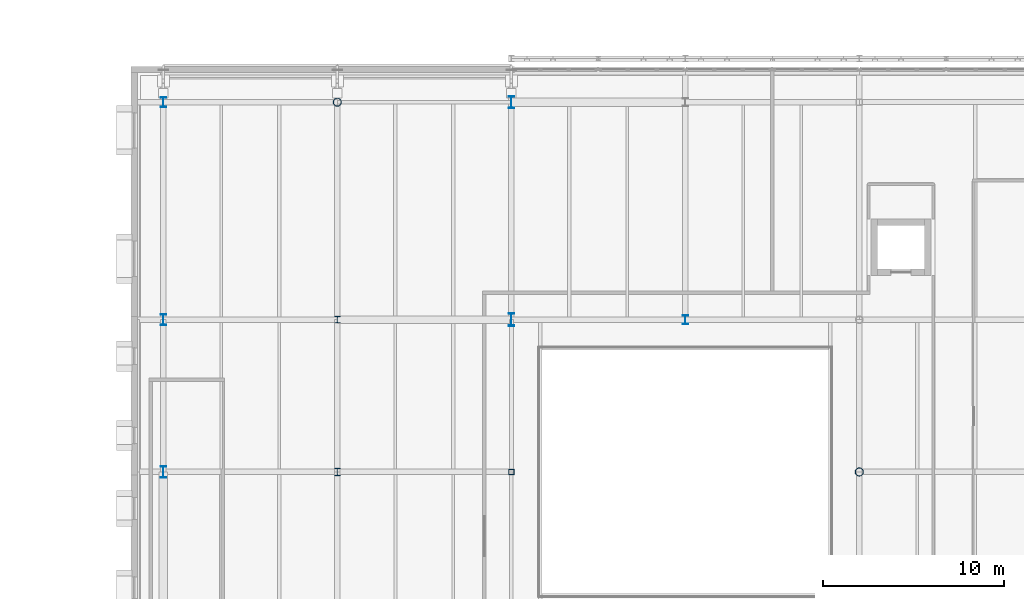
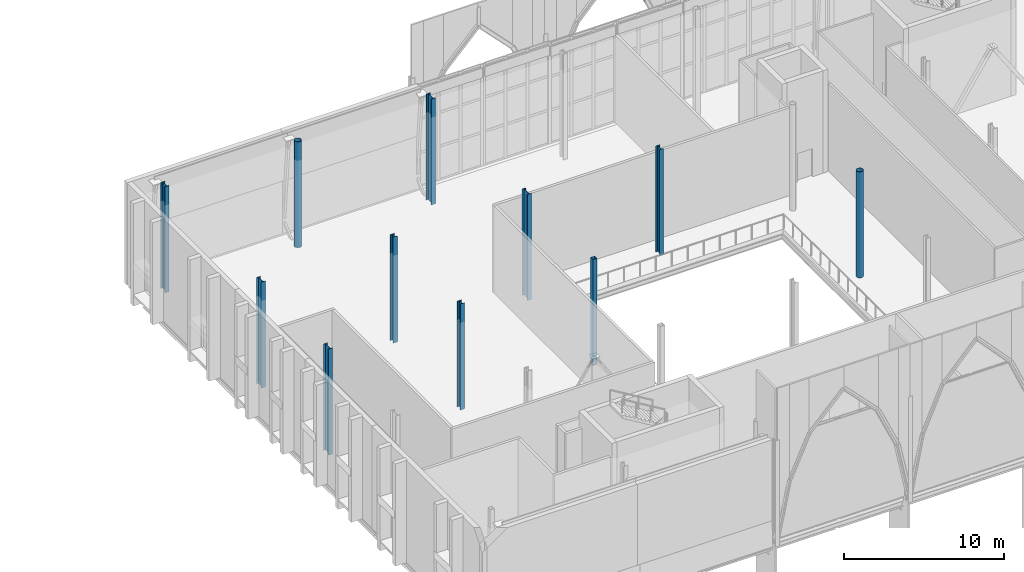
# One storey, part 6 of 79: 11 columns.
"""IFC4 building model written with IfcOpenShell, lengths in metres."""

import ifcopenshell
import ifcopenshell.guid

model = None  # the IFC model being written
_history = None  # IfcOwnerHistory: only IFC2X3 demands one
_inside = {}  # id of a spatial element -> (the spatial element, [elements in it])
_under = {}  # id of a project, library or spatial element -> (it, [spatial elements below it])
_declared = {}  # id of a project -> (the project, [libraries it declares])
_typed = {}  # id of a type object -> (the type object, [elements of that type])
_made_of = {}  # id of a material, layer set ... -> (it, [elements and type objects made of it])


def new_model(schema):
    """Start an empty IFC model of exactly this schema.

    Asked for "IFC4X3", IfcOpenShell would pick the latest addendum, in which some entities
    have other attributes; the version numbers below select the first issue.
    IFC2X3 requires an IfcOwnerHistory on every rooted entity: one is made here for all.
    """
    global model, _history
    if schema == "IFC4X3":
        model = ifcopenshell.file(schema_version=(4, 3, 0, 0))
    else:
        model = ifcopenshell.file(schema=schema)
    _inside.clear()
    _under.clear()
    _declared.clear()
    _typed.clear()
    _made_of.clear()
    _history = None
    if model.schema == "IFC2X3":
        org = make("IfcOrganization", Name="unknown")
        user = make(
            "IfcPersonAndOrganization",
            ThePerson=make("IfcPerson", FamilyName="unknown"),
            TheOrganization=org,
        )
        app = make(
            "IfcApplication",
            ApplicationDeveloper=org,
            Version="unknown",
            ApplicationFullName="unknown",
            ApplicationIdentifier="unknown",
        )
        _history = make(
            "IfcOwnerHistory",
            OwningUser=user,
            OwningApplication=app,
            ChangeAction="ADDED",
            CreationDate=0,
        )
    return model


def make(cls, **values):
    """One entity of the class cls with the attributes given. An attribute that is None is left unset."""
    return model.create_entity(
        cls, **{name: value for name, value in values.items() if value is not None}
    )


def rooted(cls, **values):
    """An entity with a GlobalId (a new one), such as an element, a storey or a relation."""
    return make(cls, GlobalId=ifcopenshell.guid.new(), OwnerHistory=_history, **values)


def si_unit(unit_type, name, prefix=None):
    """IfcSIUnit, for example si_unit("LENGTHUNIT", "METRE", prefix="MILLI")."""
    return make("IfcSIUnit", UnitType=unit_type, Prefix=prefix, Name=name)


def assignment(units):
    """IfcUnitAssignment: the units of a project."""
    return None if units is None else make("IfcUnitAssignment", Units=units)


def point(xyz):
    """IfcCartesianPoint."""
    return None if xyz is None else make("IfcCartesianPoint", Coordinates=xyz)


def direction(xyz):
    """IfcDirection."""
    return None if xyz is None else make("IfcDirection", DirectionRatios=xyz)


def frame(location, z_axis=None, x_axis=None):
    """IfcAxis2Placement3D, a coordinate frame: its origin and axes. An axis left out is left unset."""
    return make(
        "IfcAxis2Placement3D",
        Location=point(location),
        Axis=direction(z_axis),
        RefDirection=direction(x_axis),
    )


def frame_2d(location, x_axis=None):
    """IfcAxis2Placement2D, a coordinate frame in the plane: its origin and x axis."""
    return make(
        "IfcAxis2Placement2D", Location=point(location), RefDirection=direction(x_axis)
    )


def origin():
    """The frame at (0, 0, 0) with its axes left unset."""
    return frame((0.0, 0.0, 0.0))


def origin_2d():
    """The frame at (0, 0) in the plane with its x axis left unset."""
    return frame_2d((0.0, 0.0))


def place(relative_to, where):
    """IfcLocalPlacement: puts the frame where relative to a parent placement (None: the world)."""
    return make(
        "IfcLocalPlacement", PlacementRelTo=relative_to, RelativePlacement=where
    )


def context(
    kind, dimensions, precision=None, world=None, true_north=None, identifier=None
):
    """IfcGeometricRepresentationContext, for example the 3D "Model" context."""
    return make(
        "IfcGeometricRepresentationContext",
        ContextIdentifier=identifier,
        ContextType=kind,
        CoordinateSpaceDimension=dimensions,
        Precision=precision,
        WorldCoordinateSystem=world,
        TrueNorth=true_north,
    )


def subcontext(parent, identifier, kind, view, scale=None):
    """IfcGeometricRepresentationSubContext, for example "Body" below "Model"."""
    return make(
        "IfcGeometricRepresentationSubContext",
        ContextIdentifier=identifier,
        ContextType=kind,
        ParentContext=parent,
        TargetScale=scale,
        TargetView=view,
    )


def project(units=None, contexts=None):
    """IfcProject with its units and contexts."""
    return rooted(
        "IfcProject",
        Name="project",
        RepresentationContexts=contexts,
        UnitsInContext=assignment(units),
    )


def spatial(cls, under=None, at=None, **own):
    """A site, building, storey or space (cls), placed at a placement, below another one or the project."""
    s = rooted(cls, ObjectPlacement=at, **own)
    if under is not None:
        _under.setdefault(under.id(), (under, []))[1].append(s)
    return s


def profile(cls, at=None, kind="AREA", **sizes):
    """A parametric profile (cls). Its sizes go by their IFC names, for example OverallWidth=200.0."""
    return make(cls, ProfileType=kind, Position=at, **sizes)


def hollow_rectangle(**sizes):
    """IfcRectangleHollowProfileDef."""
    return profile("IfcRectangleHollowProfileDef", **sizes)


def hollow_circle(**sizes):
    """IfcCircleHollowProfileDef."""
    return profile("IfcCircleHollowProfileDef", **sizes)


def i_section(**sizes):
    """IfcIShapeProfileDef."""
    return profile("IfcIShapeProfileDef", **sizes)


def extrude(swept, where, along, depth):
    """IfcExtrudedAreaSolid: the profile swept, set in the frame where, extruded along a direction by depth."""
    return make(
        "IfcExtrudedAreaSolid",
        SweptArea=swept,
        Position=where,
        ExtrudedDirection=direction(along),
        Depth=depth,
    )


def shape(context_of_items, identifier, shape_type, items):
    """IfcShapeRepresentation: the items that make up one representation, for example the "Body"."""
    return make(
        "IfcShapeRepresentation",
        ContextOfItems=context_of_items,
        RepresentationIdentifier=identifier,
        RepresentationType=shape_type,
        Items=items,
    )


def material(Name=None, Category=None):
    """IfcMaterial."""
    return make("IfcMaterial", Name=Name, Category=Category)


def material_profile(
    of_material, cross_section, Name=None, Category=None, Priority=None
):
    """IfcMaterialProfile: a cross section and its material."""
    return make(
        "IfcMaterialProfile",
        Name=Name,
        Material=of_material,
        Profile=cross_section,
        Priority=Priority,
        Category=Category,
    )


def profile_set(profiles, Name=None, composite=None):
    """IfcMaterialProfileSet."""
    return make(
        "IfcMaterialProfileSet",
        Name=Name,
        MaterialProfiles=profiles,
        CompositeProfile=composite,
    )


def made_of(thing, what):
    """Note that an element or type object is made of a material, layer set ...; save() writes the relation."""
    if what is not None:
        _made_of.setdefault(what.id(), (what, []))[1].append(thing)
    return thing


def type_object(cls, material=None, **own):
    """A type object (cls), such as IfcWallType, which elements share."""
    return made_of(rooted(cls, **own), material)


def element(
    cls,
    number,
    at=None,
    inside=None,
    cuts=None,
    type_object=None,
    material=None,
    context=None,
    identifier="Body",
    shape_type=None,
    held_by="IfcProductDefinitionShape",
    body=None,
    shapes=None,
    **own,
):
    """One element of the class cls, such as IfcWall. Its Tag is "e" and its number.

    at: its placement. inside: the storey or other place that contains it. cuts: it is an
    opening in that element (IfcRelVoidsElement). A single representation is given by context,
    identifier, shape_type and body (its items); several are given by shapes. held_by: the class
    of the entity that holds the representations. save() writes the other relations.
    """
    e = rooted(cls, Tag="e%d" % number, ObjectPlacement=at, **own)
    if body is not None:
        shapes = [shape(context, identifier, shape_type, body)]
    if shapes is not None:
        e.Representation = make(held_by, Representations=shapes)
    if inside is not None:
        _inside.setdefault(inside.id(), (inside, []))[1].append(e)
    if cuts is not None:
        rooted(
            "IfcRelVoidsElement", RelatingBuildingElement=cuts, RelatedOpeningElement=e
        )
    if type_object is not None:
        _typed.setdefault(type_object.id(), (type_object, []))[1].append(e)
    return made_of(e, material)


def aggregate(whole, parts):
    """IfcRelAggregates: a whole, such as a stair, and the parts it consists of."""
    return rooted("IfcRelAggregates", RelatingObject=whole, RelatedObjects=parts)


def save(model, path):
    """Write the relations noted so far, then the file.

    IfcRelAggregates (storeys below a building ...), IfcRelContainedInSpatialStructure (elements
    in a storey), IfcRelDefinesByType, IfcRelAssociatesMaterial and IfcRelDeclares: one each for
    every whole, place, type object, material and project.
    """
    for whole, parts in _under.values():
        aggregate(whole, parts)
    for where, things in _inside.values():
        rooted(
            "IfcRelContainedInSpatialStructure",
            RelatedElements=things,
            RelatingStructure=where,
        )
    for kind, things in _typed.values():
        rooted("IfcRelDefinesByType", RelatedObjects=things, RelatingType=kind)
    for what, things in _made_of.values():
        rooted("IfcRelAssociatesMaterial", RelatedObjects=things, RelatingMaterial=what)
    for by, libraries in _declared.values():
        rooted("IfcRelDeclares", RelatingContext=by, RelatedDefinitions=libraries)
    model.write(path)


model = new_model("IFC4")

# Units and contexts
model_context = context("Model", 3, precision=1e-05, world=origin(), true_north=direction((0.0, 1.0)))
body_context = subcontext(model_context, "Body", "Model", "MODEL_VIEW")
ifc_project = project(units=[si_unit("LENGTHUNIT", "METRE"), si_unit("AREAUNIT", "SQUARE_METRE"), si_unit("VOLUMEUNIT", "CUBIC_METRE"), si_unit("PLANEANGLEUNIT", "RADIAN"), si_unit("MASSUNIT", "GRAM", prefix="KILO")], contexts=[model_context])

# Site, building, storey
site_placement = place(None, origin())
site = spatial("IfcSite", under=ifc_project, at=site_placement, CompositionType="ELEMENT")
building_placement = place(site_placement, origin())
building = spatial("IfcBuilding", under=site, at=building_placement, Name="Zereglee Splitstone Museum", CompositionType="ELEMENT")
storey_placement = place(building_placement, frame((0.0, 0.0, 9.0)))
storey = spatial("IfcBuildingStorey", under=building, at=storey_placement, Name="L02", CompositionType="ELEMENT", Elevation=9.0)

# Columns
ifc_material_1 = material(Name="Steel S355J2H", Category="steel")
ifc_material_profile_1 = material_profile(ifc_material_1, hollow_circle(Radius=0.228515625, WallThickness=0.02001953125, at=origin_2d()), Name="CHS 457.0x20")
ifc_profile_set_1 = profile_set([ifc_material_profile_1], Name="Steel S355J2H")
column_type_1 = type_object("IfcColumnType", Name="C-17", PredefinedType="COLUMN", material=ifc_profile_set_1)
for number, where, z_axis, x_axis, name in (
    (1, (87.60009765625, 50.39990234375, 0.0), (0.0, 0.0, 1.0), (1.0, 0.0, 0.0), "Column 11/F L02"),
    (2, (116.39990234375, 30.0, 0.0), (0.0, 0.0, 1.0), (1.0, 0.0, 0.0), "Column 14/D L02"),
):
    element("IfcColumn", number, at=place(storey_placement, frame(where, z_axis=z_axis, x_axis=x_axis)), inside=storey, type_object=column_type_1, Name=name, PredefinedType="COLUMN", context=body_context, shape_type="SweptSolid", body=[
        extrude(hollow_circle(Radius=0.228515625, WallThickness=0.02001953125, at=origin_2d()), origin(), (0.0, 0.0, 1.0), 8.10009765625),
    ])
ifc_material_2 = material(Name="Steel S355J2", Category="steel")
ifc_material_profile_2 = material_profile(ifc_material_2, i_section(OverallWidth=0.300048828125, OverallDepth=0.360107421875, WebThickness=0.012451171875, FlangeThickness=0.0224609375, FilletRadius=0.027099609375, at=origin_2d()), Name="HE 360 B")
ifc_profile_set_2 = profile_set([ifc_material_profile_2], Name="Steel S355J2")
column_type_2 = type_object("IfcColumnType", Name="C-16", PredefinedType="COLUMN", material=ifc_profile_set_2)
column_1_placement = place(storey_placement, frame((87.60009765625, 38.39990234375, 0.0), z_axis=(0.0, 0.0, 1.0), x_axis=(1.0, 0.0, 0.0)))
element("IfcColumn", 3, at=column_1_placement, inside=storey, type_object=column_type_2, Name="Column 11/E L02", PredefinedType="COLUMN", context=body_context, shape_type="SweptSolid", body=[
    extrude(i_section(OverallWidth=0.300048828125, OverallDepth=0.360107421875, WebThickness=0.012451171875, FlangeThickness=0.0224609375, FilletRadius=0.027099609375, at=origin_2d()), origin(), (0.0, 0.0, 1.0), 8.10009765625),
])
ifc_material_profile_3 = material_profile(ifc_material_2, i_section(OverallWidth=0.300048828125, OverallDepth=0.39990234375, WebThickness=0.013427734375, FlangeThickness=0.02392578125, FilletRadius=0.027099609375, at=origin_2d()), Name="HE 400 B")
ifc_profile_set_3 = profile_set([ifc_material_profile_3], Name="Steel S355J2")
column_type_3 = type_object("IfcColumnType", Name="C-15", PredefinedType="COLUMN", material=ifc_profile_set_3)
column_2_placement = place(storey_placement, frame((87.60009765625, 30.0, 0.0), z_axis=(0.0, 0.0, 1.0), x_axis=(1.0, 0.0, 0.0)))
element("IfcColumn", 4, at=column_2_placement, inside=storey, type_object=column_type_3, Name="Column 11/D L02", PredefinedType="COLUMN", context=body_context, shape_type="SweptSolid", body=[
    extrude(i_section(OverallWidth=0.300048828125, OverallDepth=0.39990234375, WebThickness=0.013427734375, FlangeThickness=0.02392578125, FilletRadius=0.027099609375, at=origin_2d()), origin(), (0.0, 0.0, 1.0), 8.10009765625),
])
ifc_material_profile_4 = material_profile(ifc_material_2, i_section(OverallWidth=0.300048828125, OverallDepth=0.5, WebThickness=0.014404296875, FlangeThickness=0.028076171875, FilletRadius=0.027099609375, at=origin_2d()), Name="HE 500 B")
ifc_profile_set_4 = profile_set([ifc_material_profile_4], Name="Steel S355J2")
column_type_4 = type_object("IfcColumnType", Name="C-13", PredefinedType="COLUMN", material=ifc_profile_set_4)
column_3_placement = place(storey_placement, frame((106.800048828125, 38.39990234375, 0.0), z_axis=(0.0, 0.0, 1.0), x_axis=(1.0, 0.0, 0.0)))
element("IfcColumn", 5, at=column_3_placement, inside=storey, type_object=column_type_4, Name="Column 13/E L02", PredefinedType="COLUMN", context=body_context, shape_type="SweptSolid", body=[
    extrude(i_section(OverallWidth=0.300048828125, OverallDepth=0.5, WebThickness=0.014404296875, FlangeThickness=0.028076171875, FilletRadius=0.027099609375, at=origin_2d()), origin(), (0.0, 0.0, 1.0), 8.10009765625),
])
ifc_material_profile_5 = material_profile(ifc_material_2, i_section(OverallWidth=0.300048828125, OverallDepth=0.550048828125, WebThickness=0.014892578125, FlangeThickness=0.029052734375, FilletRadius=0.027099609375, at=origin_2d()), Name="HE 550 B")
ifc_profile_set_5 = profile_set([ifc_material_profile_5], Name="Steel S355J2")
column_type_5 = type_object("IfcColumnType", Name="C-12", PredefinedType="COLUMN", material=ifc_profile_set_5)
column_4_placement = place(storey_placement, frame((78.0, 50.39990234375, 0.0), z_axis=(0.0, 0.0, 1.0), x_axis=(1.0, 0.0, 0.0)))
element("IfcColumn", 6, at=column_4_placement, inside=storey, type_object=column_type_5, Name="Column 10/F L02", PredefinedType="COLUMN", context=body_context, shape_type="SweptSolid", body=[
    extrude(i_section(OverallWidth=0.300048828125, OverallDepth=0.550048828125, WebThickness=0.014892578125, FlangeThickness=0.029052734375, FilletRadius=0.027099609375, at=origin_2d()), origin(), (0.0, 0.0, 1.0), 8.10009765625),
])
ifc_material_profile_6 = material_profile(ifc_material_2, i_section(OverallWidth=0.300048828125, OverallDepth=0.60009765625, WebThickness=0.015380859375, FlangeThickness=0.030029296875, FilletRadius=0.027099609375, at=origin_2d()), Name="HE 600 B")
ifc_profile_set_6 = profile_set([ifc_material_profile_6], Name="Steel S355J2")
column_type_6 = type_object("IfcColumnType", Name="C-11", PredefinedType="COLUMN", material=ifc_profile_set_6)
column_5_placement = place(storey_placement, frame((78.0, 38.39990234375, 0.0), z_axis=(0.0, 0.0, 1.0), x_axis=(1.0, 0.0, 0.0)))
element("IfcColumn", 7, at=column_5_placement, inside=storey, type_object=column_type_6, Name="Column 10/E L02", PredefinedType="COLUMN", context=body_context, shape_type="SweptSolid", body=[
    extrude(i_section(OverallWidth=0.300048828125, OverallDepth=0.60009765625, WebThickness=0.015380859375, FlangeThickness=0.030029296875, FilletRadius=0.027099609375, at=origin_2d()), origin(), (0.0, 0.0, 1.0), 8.10009765625),
])
ifc_material_profile_7 = material_profile(ifc_material_2, i_section(OverallWidth=0.300048828125, OverallDepth=0.64990234375, WebThickness=0.01611328125, FlangeThickness=0.031005859375, FilletRadius=0.027099609375, at=origin_2d()), Name="HE 650 B")
ifc_profile_set_7 = profile_set([ifc_material_profile_7], Name="Steel S355J2")
column_type_7 = type_object("IfcColumnType", Name="C-10", PredefinedType="COLUMN", material=ifc_profile_set_7)
for number, where, z_axis, x_axis, name in (
    (8, (78.0, 30.0, 0.0), (0.0, 0.0, 1.0), (1.0, 0.0, 0.0), "Column 10/D L02"),
    (9, (97.199951171875, 50.39990234375, 0.0), (0.0, 0.0, 1.0), (1.0, 0.0, 0.0), "Column 12/F L02"),
):
    element("IfcColumn", number, at=place(storey_placement, frame(where, z_axis=z_axis, x_axis=x_axis)), inside=storey, type_object=column_type_7, Name=name, PredefinedType="COLUMN", context=body_context, shape_type="SweptSolid", body=[
        extrude(i_section(OverallWidth=0.300048828125, OverallDepth=0.64990234375, WebThickness=0.01611328125, FlangeThickness=0.031005859375, FilletRadius=0.027099609375, at=origin_2d()), origin(), (0.0, 0.0, 1.0), 8.10009765625),
    ])
ifc_material_profile_8 = material_profile(ifc_material_2, i_section(OverallWidth=0.300048828125, OverallDepth=0.699951171875, WebThickness=0.01708984375, FlangeThickness=0.031982421875, FilletRadius=0.027099609375, at=origin_2d()), Name="HE 700 B")
ifc_profile_set_8 = profile_set([ifc_material_profile_8], Name="Steel S355J2")
column_type_8 = type_object("IfcColumnType", Name="C-09", PredefinedType="COLUMN", material=ifc_profile_set_8)
column_6_placement = place(storey_placement, frame((97.199951171875, 38.39990234375, 0.0), z_axis=(0.0, 0.0, 1.0), x_axis=(1.0, 0.0, 0.0)))
element("IfcColumn", 10, at=column_6_placement, inside=storey, type_object=column_type_8, Name="Column 12/E L02", PredefinedType="COLUMN", context=body_context, shape_type="SweptSolid", body=[
    extrude(i_section(OverallWidth=0.300048828125, OverallDepth=0.699951171875, WebThickness=0.01708984375, FlangeThickness=0.031982421875, FilletRadius=0.027099609375, at=origin_2d()), origin(), (0.0, 0.0, 1.0), 8.10009765625),
])
ifc_material_profile_9 = material_profile(ifc_material_1, hollow_rectangle(XDim=0.300048828125, YDim=0.300048828125, WallThickness=0.01611328125, at=origin_2d()), Name="SHS 300x300x16")
ifc_profile_set_9 = profile_set([ifc_material_profile_9], Name="Steel S355J2H")
column_type_9 = type_object("IfcColumnType", Name="C-20", PredefinedType="COLUMN", material=ifc_profile_set_9)
column_7_placement = place(storey_placement, frame((97.199951171875, 30.0, 0.0), z_axis=(0.0, 0.0, 1.0), x_axis=(1.0, 0.0, 0.0)))
element("IfcColumn", 11, at=column_7_placement, inside=storey, type_object=column_type_9, Name="Column 12/D L02", PredefinedType="COLUMN", context=body_context, shape_type="SweptSolid", body=[
    extrude(hollow_rectangle(XDim=0.300048828125, YDim=0.300048828125, WallThickness=0.01611328125, at=origin_2d()), origin(), (0.0, 0.0, 1.0), 8.10009765625),
])

save(model, "model.ifc")
